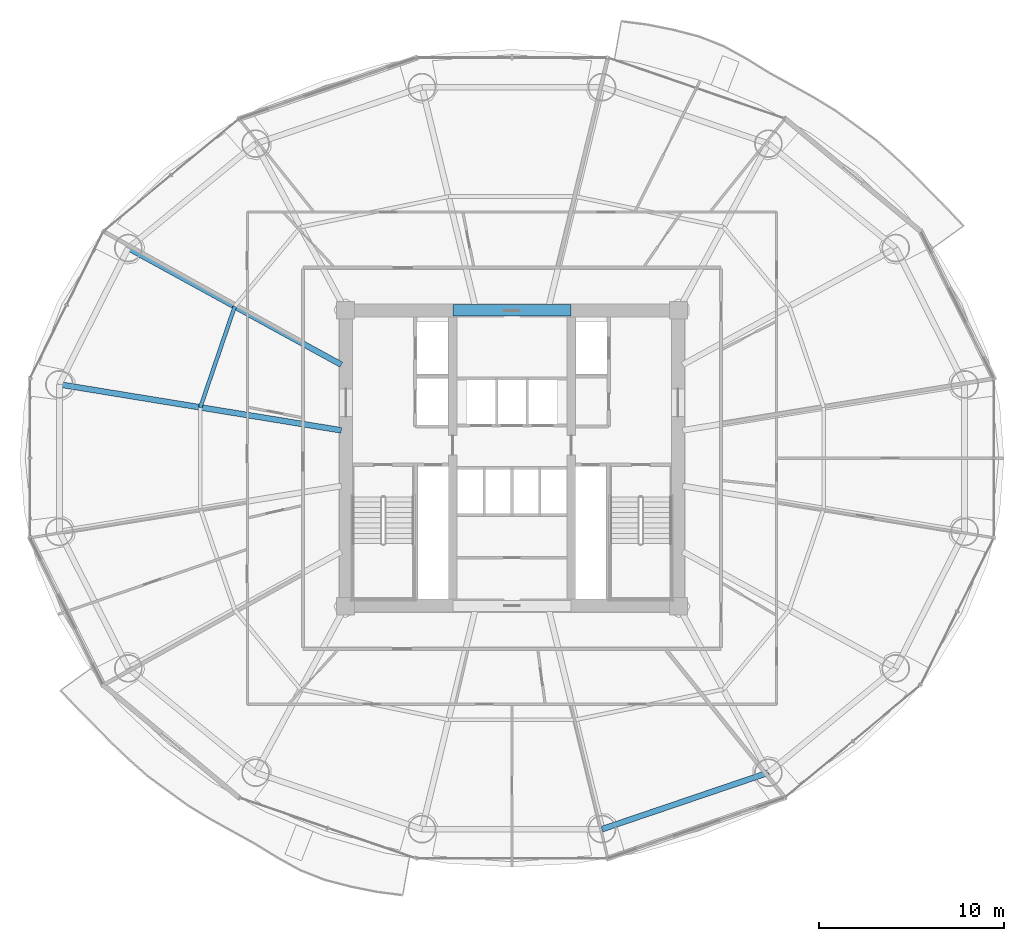
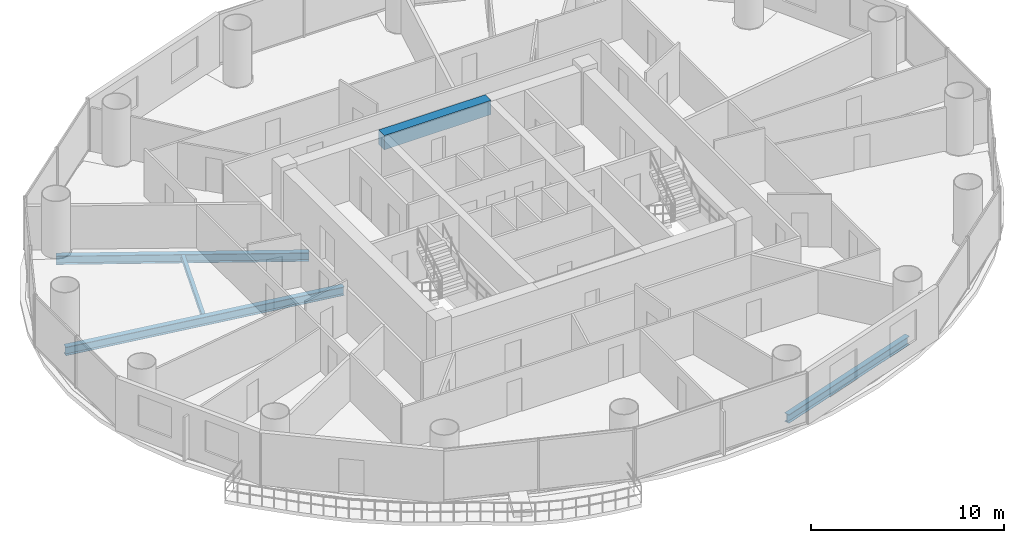
# One storey, part 10 of 29: 5 beams.
"""IFC4 building model written with IfcOpenShell, lengths in metres."""

from ifc_helpers import new_model, si_unit, direction, frame, origin, origin_2d, place, context, subcontext, project, spatial, rectangle, i_section, extrude, material, material_profile, profile_set, type_object, element, save


model = new_model("IFC4")

# Units and contexts
model_context = context("Model", 3, precision=1e-05, world=origin(), true_north=direction((-0.2419218956, 0.970295726276)))
body_context = subcontext(model_context, "Body", "Model", "MODEL_VIEW")
ifc_project = project(units=[si_unit("LENGTHUNIT", "METRE"), si_unit("AREAUNIT", "SQUARE_METRE"), si_unit("VOLUMEUNIT", "CUBIC_METRE"), si_unit("PLANEANGLEUNIT", "RADIAN"), si_unit("MASSUNIT", "GRAM", prefix="KILO")], contexts=[model_context])

# Site, building, storey
site_placement = place(None, origin())
site = spatial("IfcSite", under=ifc_project, at=site_placement, CompositionType="ELEMENT")
building_placement = place(site_placement, origin())
building = spatial("IfcBuilding", under=site, at=building_placement, Name="Cobrevalo Terracotta Tower", CompositionType="ELEMENT")
storey_placement = place(building_placement, frame((0.0, 0.0, 123.0)))
storey = spatial("IfcBuildingStorey", under=building, at=storey_placement, Name="L32", CompositionType="ELEMENT", Elevation=123.0)

# Beams
ifc_material_1 = material(Name="Concrete C60", Category="concrete")
ifc_material_profile_1 = material_profile(ifc_material_1, rectangle(XDim=0.60009765625, YDim=0.89990234375, at=origin_2d()), Name="RC CB 600x900")
ifc_profile_set_1 = profile_set([ifc_material_profile_1], Name="Concrete C60")
beam_type_1 = type_object("IfcBeamType", Name="Structural Beam RC CB 600x900 (Concrete C60)", PredefinedType="BEAM", material=ifc_profile_set_1)
beam_1_placement = place(storey_placement, frame((34.800048828125, 34.800048828125, 2.875), z_axis=(1.0, 0.0, 0.0), x_axis=(0.0, 1.0, 0.0)))
element("IfcBeam", 1, at=beam_1_placement, inside=storey, type_object=beam_type_1, Name="L32 core coupling beam 2", PredefinedType="BEAM", context=body_context, shape_type="SweptSolid", body=[
    extrude(rectangle(XDim=0.60009765625, YDim=0.89990234375, at=origin_2d()), origin(), (0.0, 0.0, 1.0), 6.39990234375),
])
ifc_material_2 = material(Name="Steel S355", Category="steel")
ifc_material_profile_2 = material_profile(ifc_material_2, i_section(OverallWidth=0.31201171875, OverallDepth=0.54296875, WebThickness=0.0126953125, FlangeThickness=0.020263671875, at=origin_2d()), Name="W 530x150")
ifc_profile_set_2 = profile_set([ifc_material_profile_2], Name="Steel S355")
beam_type_2 = type_object("IfcBeamType", Name="Structural Beam W 530x150 (Steel S355)", PredefinedType="BEAM", material=ifc_profile_set_2)
beam_2_placement = place(storey_placement, frame((17.2548828125, 38.161376953125, -0.54638671875), z_axis=(0.877080599376, -0.480343233738, 0.0), x_axis=(0.480343233738, 0.877080599376, 0.0)))
element("IfcBeam", 2, at=beam_2_placement, inside=storey, type_object=beam_type_2, Name="L32 radial floor girder 07", PredefinedType="BEAM", context=body_context, shape_type="SweptSolid", body=[
    extrude(i_section(OverallWidth=0.31201171875, OverallDepth=0.54296875, WebThickness=0.0126953125, FlangeThickness=0.020263671875, at=origin_2d()), origin(), (0.0, 0.0, 1.0), 13.12890625),
])
beam_3_placement = place(storey_placement, frame((13.529296875, 30.78955078125, -0.54638671875), z_axis=(0.986970567439, -0.160900898101, 0.0), x_axis=(0.160900898101, 0.986970567439, 0.0)))
element("IfcBeam", 3, at=beam_3_placement, inside=storey, type_object=beam_type_2, Name="L32 radial floor girder 08", PredefinedType="BEAM", context=body_context, shape_type="SweptSolid", body=[
    extrude(i_section(OverallWidth=0.31201171875, OverallDepth=0.54296875, WebThickness=0.0126953125, FlangeThickness=0.020263671875, at=origin_2d()), origin(), (0.0, 0.0, 1.0), 15.44189453125),
])
ifc_material_profile_3 = material_profile(ifc_material_2, i_section(OverallWidth=0.2041015625, OverallDepth=0.305908203125, WebThickness=0.008544921875, FlangeThickness=0.0146484375, at=origin_2d()), Name="W 310x67")
ifc_profile_set_3 = profile_set([ifc_material_profile_3], Name="Steel S355")
beam_type_3 = type_object("IfcBeamType", Name="Structural Joist W 310x67 (Steel S355)", PredefinedType="JOIST", material=ifc_profile_set_3)
beam_4_placement = place(storey_placement, frame((23.012451171875, 35.00830078125, -0.427978515625), z_axis=(-0.322833299398, -0.94645584197, 0.0), x_axis=(0.94645584197, -0.322833299398, 0.0)))
element("IfcBeam", 4, at=beam_4_placement, inside=storey, type_object=beam_type_3, Name="L32 circumferential secondary floor joist 07", PredefinedType="JOIST", context=body_context, shape_type="SweptSolid", body=[
    extrude(i_section(OverallWidth=0.2041015625, OverallDepth=0.305908203125, WebThickness=0.008544921875, FlangeThickness=0.0146484375, at=origin_2d()), origin(), (0.0, 0.0, 1.0), 5.77001953125),
])
ifc_material_profile_4 = material_profile(ifc_material_2, i_section(OverallWidth=0.31201171875, OverallDepth=0.54296875, WebThickness=0.0126953125, FlangeThickness=0.020263671875, at=origin_2d()), Name="W 530x150")
ifc_profile_set_4 = profile_set([ifc_material_profile_4], Name="Steel S355")
beam_type_4 = type_object("IfcBeamType", Name="Structural Spandrel W 530x150 (Steel S355)", PredefinedType="SPANDREL", material=ifc_profile_set_4)
beam_5_placement = place(storey_placement, frame((42.867431640625, 6.742919921875, -0.54638671875), z_axis=(0.94691835344, 0.321474154356, 0.0), x_axis=(-0.321474154356, 0.94691835344, 0.0)))
element("IfcBeam", 5, at=beam_5_placement, inside=storey, type_object=beam_type_4, Name="L32 perimeter ring spandrel 13", PredefinedType="SPANDREL", context=body_context, shape_type="SweptSolid", body=[
    extrude(i_section(OverallWidth=0.31201171875, OverallDepth=0.54296875, WebThickness=0.0126953125, FlangeThickness=0.020263671875, at=origin_2d()), origin(), (0.0, 0.0, 1.0), 9.498291015625),
])

save(model, "model.ifc")
